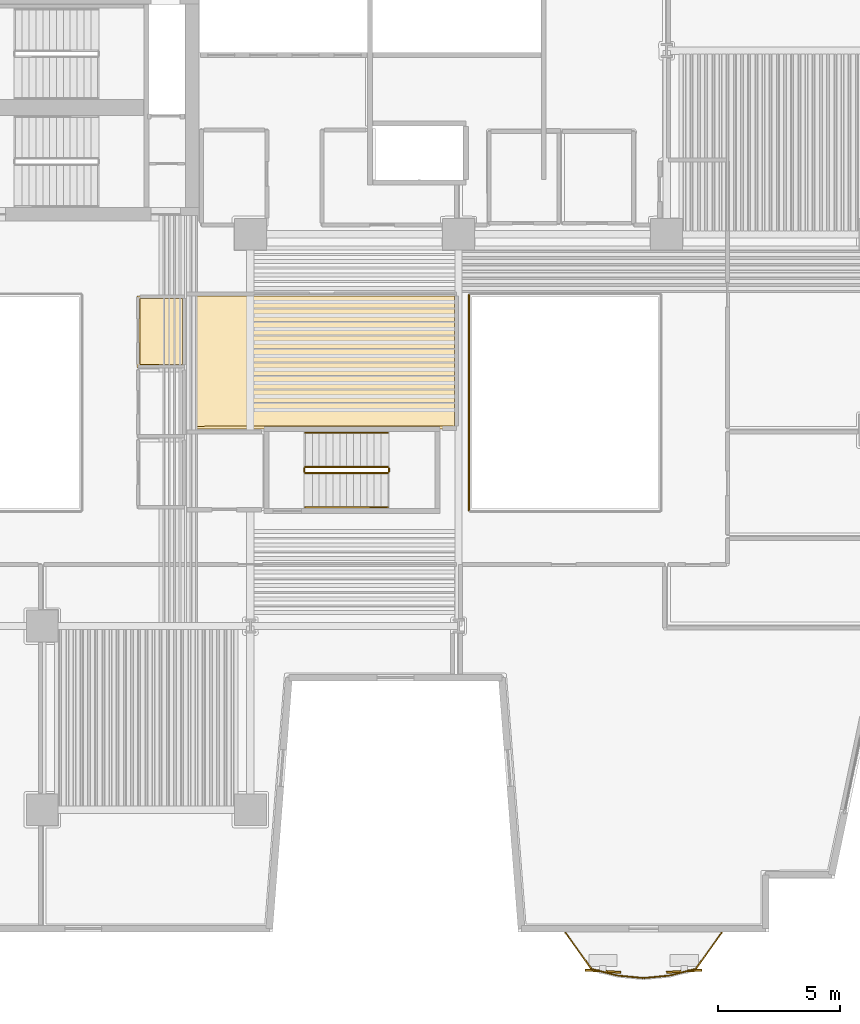
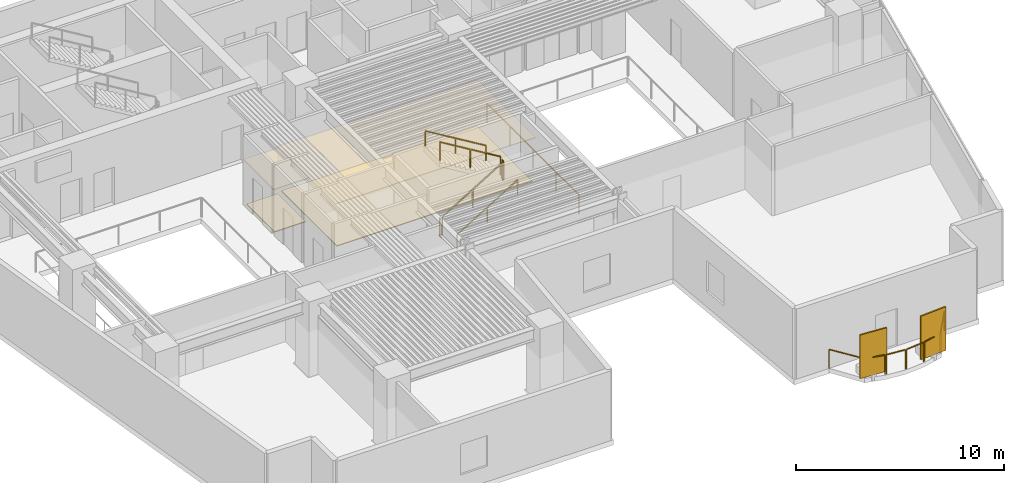
# One storey, part 9 of 12: 13 railings, 4 coverings, 2 shading devices.
"""IFC4 building model written with IfcOpenShell, lengths in metres."""

from ifc_helpers import new_model, si_unit, direction, frame, origin, origin_2d, place, context, subcontext, project, spatial, polyline, rectangle, outline, extrude, material, layer, layer_set, type_object, element, save


model = new_model("IFC4")

# Units and contexts
model_context = context("Model", 3, precision=1e-05, world=origin(), true_north=direction((0.0, 1.0)))
body_context = subcontext(model_context, "Body", "Model", "MODEL_VIEW")
ifc_project = project(units=[si_unit("LENGTHUNIT", "METRE"), si_unit("AREAUNIT", "SQUARE_METRE"), si_unit("VOLUMEUNIT", "CUBIC_METRE"), si_unit("PLANEANGLEUNIT", "RADIAN"), si_unit("MASSUNIT", "GRAM", prefix="KILO")], contexts=[model_context])

# Site, building, storey
site_placement = place(None, origin())
site = spatial("IfcSite", under=ifc_project, at=site_placement, CompositionType="ELEMENT")
building_placement = place(site_placement, origin())
building = spatial("IfcBuilding", under=site, at=building_placement, Name="Caeloran Harvest Quay", CompositionType="ELEMENT")
storey_placement = place(building_placement, frame((0.0, 0.0, 31.39990234375)))
storey = spatial("IfcBuildingStorey", under=building, at=storey_placement, Name="L07", CompositionType="ELEMENT", Elevation=31.39990234375)

# Coverings
ifc_material_1 = material(Name="Perforated Mineral-Fibre Acoustic Ceiling Tile", Category="ceiling")
ifc_layer_1 = layer(ifc_material_1, 0.0400390625, Name="Perforated Mineral-Fibre Acoustic Ceiling Tile")
ifc_layer_set_1 = layer_set([ifc_layer_1], Name="Perforated Mineral-Fibre Acoustic Ceiling Tile")
covering_type_1 = type_object("IfcCoveringType", Name="COV-CEILING-ACOUSTIC", PredefinedType="CEILING", material=ifc_layer_set_1)
covering_1_placement = place(storey_placement, frame((0.0, 0.0, 2.60009765625)))
element("IfcCovering", 1, at=covering_1_placement, inside=storey, type_object=covering_type_1, Name="L07 Male Washroom WC Acoustic Ceiling", PredefinedType="CEILING", context=body_context, shape_type="SweptSolid", body=[
    extrude(outline(polyline([(22.840087890625, 25.56005859375), (20.8701171875, 25.56005859375), (20.8701171875, 28.489990234375), (22.840087890625, 28.489990234375), (22.840087890625, 25.56005859375)])), origin(), (0.0, 0.0, 1.0), 0.0400390625),
])
covering_2_placement = place(storey_placement, frame((0.0, 0.0, 2.60009765625)))
element("IfcCovering", 2, at=covering_2_placement, inside=storey, type_object=covering_type_1, Name="Staff Tea Lounge Acoustic Ceiling", PredefinedType="CEILING", context=body_context, shape_type="SweptSolid", body=[
    extrude(outline(polyline([(22.8701171875, 28.512939453125), (22.85009765625, 28.52001953125), (22.85009765625, 28.610107421875), (33.9599609375, 28.610107421875), (33.9599609375, 23.0400390625), (33.170166015625, 23.0400390625), (33.162841796875, 23.06005859375), (26.13720703125, 23.06005859375), (26.1298828125, 23.0400390625), (22.8701171875, 23.0400390625), (22.8701171875, 28.512939453125)])), origin(), (0.0, 0.0, 1.0), 0.0400390625),
])
ifc_material_2 = material(Name="Calcium-Sulphate Raised Access Floor and Terrazzo Finish", Category="flooring")
ifc_layer_2 = layer(ifc_material_2, 0.050048828125, Name="Calcium-Sulphate Raised Access Floor and Terrazzo Finish")
ifc_layer_set_2 = layer_set([ifc_layer_2], Name="Calcium-Sulphate Raised Access Floor and Terrazzo Finish")
covering_type_2 = type_object("IfcCoveringType", Name="COV-FLOOR-RAISED", PredefinedType="FLOORING", material=ifc_layer_set_2)
covering_3_placement = place(storey_placement, origin())
element("IfcCovering", 3, at=covering_3_placement, inside=storey, type_object=covering_type_2, Name="L07 Male Washroom WC Raised Finish Flooring", PredefinedType="FLOORING", context=body_context, shape_type="SweptSolid", body=[
    extrude(outline(polyline([(22.719970703125, 25.679931640625), (20.989990234375, 25.679931640625), (20.989990234375, 28.3701171875), (22.719970703125, 28.3701171875), (22.719970703125, 25.679931640625)])), origin(), (0.0, 0.0, 1.0), 0.050048828125),
])
covering_4_placement = place(storey_placement, origin())
element("IfcCovering", 4, at=covering_4_placement, inside=storey, type_object=covering_type_2, Name="Staff Tea Lounge Raised Finish Flooring", PredefinedType="FLOORING", context=body_context, shape_type="SweptSolid", body=[
    extrude(outline(polyline([(22.989990234375, 28.489990234375), (33.840087890625, 28.489990234375), (33.840087890625, 23.159912109375), (33.169921875, 23.179931640625), (22.989990234375, 23.159912109375), (22.989990234375, 28.489990234375)])), origin(), (0.0, 0.0, 1.0), 0.050048828125),
])

# Railings
ifc_material_3 = material(Name="Powder-Coated Steel Post and Laminated Glass Guardrail", Category="steel")
ifc_layer_3 = layer(ifc_material_3, 0.06005859375, Name="Powder-Coated Steel Post and Laminated Glass Guardrail")
ifc_layer_set_3 = layer_set([ifc_layer_3], Name="Powder-Coated Steel Post and Laminated Glass Guardrail")
railing_type_1 = type_object("IfcRailingType", Name="GUARD-ATRIUM-1150", PredefinedType="GUARDRAIL", material=ifc_layer_set_3)
railing_1_placement = place(storey_placement, frame((34.429931640625, 28.5380859375, 0.0)))
element("IfcRailing", 5, at=railing_1_placement, inside=storey, type_object=railing_type_1, Name="L07 East Botanical Lightwell Guardrail Seg 4", PredefinedType="GUARDRAIL", context=body_context, shape_type="SweptSolid", body=[
    extrude(rectangle(XDim=0.048095703125, YDim=0.048095703125, at=origin_2d()), frame((0.0, 0.0, 1.1259765625), z_axis=(0.0, -1.0, 0.0), x_axis=(1.0, 0.0, 0.0)), (0.0, 0.0, 1.0), 8.826171875),
    extrude(rectangle(XDim=0.0419921875, YDim=0.0419921875, at=origin_2d()), origin(), (0.0, 0.0, 1.0), 1.101806640625),
    extrude(rectangle(XDim=0.0419921875, YDim=0.0419921875, at=origin_2d()), frame((0.0, -2.20654296875, 0.0)), (0.0, 0.0, 1.0), 1.101806640625),
    extrude(rectangle(XDim=0.0419921875, YDim=0.0419921875, at=origin_2d()), frame((0.0, -4.4130859375, 0.0)), (0.0, 0.0, 1.0), 1.101806640625),
    extrude(rectangle(XDim=0.0419921875, YDim=0.0419921875, at=origin_2d()), frame((0.0, -6.61962890625, 0.0)), (0.0, 0.0, 1.0), 1.101806640625),
    extrude(rectangle(XDim=0.0419921875, YDim=0.0419921875, at=origin_2d()), frame((0.0, -8.826171875, 0.0)), (0.0, 0.0, 1.0), 1.101806640625),
])
ifc_material_4 = material(Name="Laminated Safety Glass and Stainless Steel 316", Category="steel")
ifc_layer_4 = layer(ifc_material_4, 0.06005859375, Name="Laminated Safety Glass and Stainless Steel 316")
ifc_layer_set_4 = layer_set([ifc_layer_4], Name="Laminated Safety Glass and Stainless Steel 316")
railing_type_2 = type_object("IfcRailingType", Name="GUARD-BALUSTRADE-1150", PredefinedType="BALUSTRADE", material=ifc_layer_set_4)
railing_2_placement = place(storey_placement, frame((44.7509765625, 2.47998046875, 0.0)))
element("IfcRailing", 6, at=railing_2_placement, inside=storey, type_object=railing_type_2, Name="L07 Planted Balcony Perimeter Balustrade Guard Seg 1", PredefinedType="BALUSTRADE", context=body_context, shape_type="SweptSolid", body=[
    extrude(rectangle(XDim=0.048095703125, YDim=0.048095703125, at=origin_2d()), frame((0.0, 0.0, 1.1259765625), z_axis=(-0.583027076161, -0.812452723833, 0.0), x_axis=(0.812452723833, -0.583027076161, 0.0)), (0.0, 0.0, 1.0), 1.79296875),
    extrude(rectangle(XDim=0.0419921875, YDim=0.0419921875, at=origin_2d()), origin(), (0.0, 0.0, 1.0), 1.101806640625),
    extrude(rectangle(XDim=0.0419921875, YDim=0.0419921875, at=origin_2d()), frame((-1.04541015625, -1.456787109375, 0.0)), (0.0, 0.0, 1.0), 1.101806640625),
])
railing_3_placement = place(storey_placement, frame((43.65576171875, 0.9892578125, 0.0)))
element("IfcRailing", 7, at=railing_3_placement, inside=storey, type_object=railing_type_2, Name="L07 Planted Balcony Perimeter Balustrade Guard Seg 2", PredefinedType="BALUSTRADE", context=body_context, shape_type="SweptSolid", body=[
    extrude(rectangle(XDim=0.048095703125, YDim=0.048095703125, at=origin_2d()), frame((0.0, 0.0, 1.1259765625), z_axis=(-0.968624541573, -0.248528665272, 0.0), x_axis=(0.248528665272, -0.968624541573, 0.0)), (0.0, 0.0, 1.0), 1.034423828125),
    extrude(rectangle(XDim=0.0419921875, YDim=0.0419921875, at=origin_2d()), origin(), (0.0, 0.0, 1.0), 1.101806640625),
    extrude(rectangle(XDim=0.0419921875, YDim=0.0419921875, at=origin_2d()), frame((-1.001953125, -0.257080078125, 0.0)), (0.0, 0.0, 1.0), 1.101806640625),
])
railing_4_placement = place(storey_placement, frame((42.5908203125, 0.72119140625, 0.0)))
element("IfcRailing", 8, at=railing_4_placement, inside=storey, type_object=railing_type_2, Name="L07 Planted Balcony Perimeter Balustrade Guard Seg 3", PredefinedType="BALUSTRADE", context=body_context, shape_type="SweptSolid", body=[
    extrude(rectangle(XDim=0.048095703125, YDim=0.048095703125, at=origin_2d()), frame((0.0, 0.0, 1.1259765625), z_axis=(-0.995615861982, -0.093536385276, 0.0), x_axis=(0.093536385276, -0.995615861982, 0.0)), (0.0, 0.0, 1.0), 1.0048828125),
    extrude(rectangle(XDim=0.0419921875, YDim=0.0419921875, at=origin_2d()), origin(), (0.0, 0.0, 1.0), 1.101806640625),
    extrude(rectangle(XDim=0.0419921875, YDim=0.0419921875, at=origin_2d()), frame((-1.00048828125, -0.093994140625, 0.0)), (0.0, 0.0, 1.0), 1.101806640625),
])
railing_5_placement = place(storey_placement, frame((41.526611328125, 0.627197265625, 0.0)))
element("IfcRailing", 9, at=railing_5_placement, inside=storey, type_object=railing_type_2, Name="L07 Planted Balcony Perimeter Balustrade Guard Seg 4", PredefinedType="BALUSTRADE", context=body_context, shape_type="SweptSolid", body=[
    extrude(rectangle(XDim=0.048095703125, YDim=0.048095703125, at=origin_2d()), frame((0.0, 0.0, 1.1259765625), z_axis=(-0.995615861982, 0.093536385276, 0.0), x_axis=(-0.093536385276, -0.995615861982, 0.0)), (0.0, 0.0, 1.0), 1.0048828125),
    extrude(rectangle(XDim=0.0419921875, YDim=0.0419921875, at=origin_2d()), origin(), (0.0, 0.0, 1.0), 1.101806640625),
    extrude(rectangle(XDim=0.0419921875, YDim=0.0419921875, at=origin_2d()), frame((-1.00048828125, 0.093994140625, 0.0)), (0.0, 0.0, 1.0), 1.101806640625),
])
railing_6_placement = place(storey_placement, frame((40.46337890625, 0.732177734375, 0.0)))
element("IfcRailing", 10, at=railing_6_placement, inside=storey, type_object=railing_type_2, Name="L07 Planted Balcony Perimeter Balustrade Guard Seg 5", PredefinedType="BALUSTRADE", context=body_context, shape_type="SweptSolid", body=[
    extrude(rectangle(XDim=0.048095703125, YDim=0.048095703125, at=origin_2d()), frame((0.0, 0.0, 1.1259765625), z_axis=(-0.968639114681, 0.248471860599, 0.0), x_axis=(-0.248471860599, -0.968639114681, 0.0)), (0.0, 0.0, 1.0), 1.03466796875),
    extrude(rectangle(XDim=0.0419921875, YDim=0.0419921875, at=origin_2d()), origin(), (0.0, 0.0, 1.0), 1.101806640625),
    extrude(rectangle(XDim=0.0419921875, YDim=0.0419921875, at=origin_2d()), frame((-1.002197265625, 0.257080078125, 0.0)), (0.0, 0.0, 1.0), 1.101806640625),
])
railing_7_placement = place(storey_placement, frame((39.41162109375, 1.023193359375, 0.0)))
element("IfcRailing", 11, at=railing_7_placement, inside=storey, type_object=railing_type_2, Name="L07 Planted Balcony Perimeter Balustrade Guard Seg 6", PredefinedType="BALUSTRADE", context=body_context, shape_type="SweptSolid", body=[
    extrude(rectangle(XDim=0.048095703125, YDim=0.048095703125, at=origin_2d()), frame((0.0, 0.0, 1.1259765625), z_axis=(-0.583116940326, 0.812388228561, 0.0), x_axis=(-0.812388228561, -0.583116940326, 0.0)), (0.0, 0.0, 1.0), 1.793212890625),
    extrude(rectangle(XDim=0.0419921875, YDim=0.0419921875, at=origin_2d()), origin(), (0.0, 0.0, 1.0), 1.101806640625),
    extrude(rectangle(XDim=0.0419921875, YDim=0.0419921875, at=origin_2d()), frame((-1.045654296875, 1.456787109375, 0.0)), (0.0, 0.0, 1.0), 1.101806640625),
])

# Shading devices
ifc_material_5 = material(Name="3003-H14 Perforated Powder-Coated Aluminium", Category="aluminium")
shading_device_type = type_object("IfcShadingDeviceType", Name="SHADE-SCREEN-FOLDED", PredefinedType="USERDEFINED", material=ifc_material_5)
for number, where, z_axis, x_axis, name in (
    (12, (43.218505859375, 0.903564453125, 0.0751953125), (0.0, 0.0, 1.0), (0.997801468292, 0.0662739004, 0.0), "L07 Folded Facade Breathing Screen 1"),
    (13, (39.8984375, 0.903564453125, 0.0751953125), (0.0, 0.0, 1.0), (0.997801468292, -0.0662739004, 0.0), "L07 Folded Facade Breathing Screen 2"),
):
    element("IfcShadingDevice", number, at=place(storey_placement, frame(where, z_axis=z_axis, x_axis=x_axis)), inside=storey, type_object=shading_device_type, Name=name, ObjectType="SCREEN", PredefinedType="USERDEFINED", context=body_context, shape_type="SweptSolid", body=[
        extrude(rectangle(XDim=1.449951171875, YDim=0.080078125, at=origin_2d()), origin(), (0.0, 0.0, 1.0), 2.550048828125),
    ])

# Railings
ifc_material_6 = material(Name="Painted Steel Baluster and Top-Rail Stair Guard", Category="steel")
ifc_layer_5 = layer(ifc_material_6, 0.050048828125, Name="Painted Steel Baluster and Top-Rail Stair Guard")
ifc_layer_set_5 = layer_set([ifc_layer_5], Name="Painted Steel Baluster and Top-Rail Stair Guard")
railing_type_3 = type_object("IfcRailingType", Name="STAIR-GUARD-1100", PredefinedType="GUARDRAIL", material=ifc_layer_set_5)
railing_8_placement = place(storey_placement, frame((27.75, 21.25, 0.16943359375)))
element("IfcRailing", 14, at=railing_8_placement, inside=storey, type_object=railing_type_3, Name="L07 ST-W1 stair guard 1", PredefinedType="GUARDRAIL", context=body_context, shape_type="SweptSolid", body=[
    extrude(rectangle(XDim=0.048095703125, YDim=0.048095703125, at=origin_2d()), frame((0.0, 0.0, 1.076171875), z_axis=(0.855836976705, 0.0, 0.517245656632), x_axis=(0.0, 1.0, 0.0)), (0.0, 0.0, 1.0), 3.926025390625),
    extrude(rectangle(XDim=0.0419921875, YDim=0.0419921875, at=origin_2d()), origin(), (0.0, 0.0, 1.0), 1.052001953125),
    extrude(rectangle(XDim=0.0419921875, YDim=0.0419921875, at=origin_2d()), frame((1.68017578125, 0.0, 1.015380859375)), (0.0, 0.0, 1.0), 1.052001953125),
    extrude(rectangle(XDim=0.0419921875, YDim=0.0419921875, at=origin_2d()), frame((3.360107421875, 0.0, 2.03076171875)), (0.0, 0.0, 1.0), 1.052001953125),
])
railing_9_placement = place(storey_placement, frame((31.159912109375, 21.300048828125, 2.2001953125)))
element("IfcRailing", 15, at=railing_9_placement, inside=storey, type_object=railing_type_3, Name="L07 ST-W1 stair guard 2", PredefinedType="GUARDRAIL", context=body_context, shape_type="SweptSolid", body=[
    extrude(rectangle(XDim=0.048095703125, YDim=0.048095703125, at=origin_2d()), frame((0.0, 0.0, 1.076171875), z_axis=(0.0, 1.0, 0.0), x_axis=(-1.0, 0.0, 0.0)), (0.0, 0.0, 1.0), 0.14990234375),
    extrude(rectangle(XDim=0.0419921875, YDim=0.0419921875, at=origin_2d()), origin(), (0.0, 0.0, 1.0), 1.052001953125),
    extrude(rectangle(XDim=0.0419921875, YDim=0.0419921875, at=origin_2d()), frame((0.0, 0.14990234375, 0.0)), (0.0, 0.0, 1.0), 1.052001953125),
])
railing_10_placement = place(storey_placement, frame((31.110107421875, 21.5, 2.369384765625)))
element("IfcRailing", 16, at=railing_10_placement, inside=storey, type_object=railing_type_3, Name="L07 ST-W1 stair guard 3", PredefinedType="GUARDRAIL", context=body_context, shape_type="SweptSolid", body=[
    extrude(rectangle(XDim=0.048095703125, YDim=0.048095703125, at=origin_2d()), frame((0.0, 0.0, 1.076171875), z_axis=(-0.855836976705, 0.0, 0.517245656632), x_axis=(0.0, -1.0, 0.0)), (0.0, 0.0, 1.0), 3.926025390625),
    extrude(rectangle(XDim=0.0419921875, YDim=0.0419921875, at=origin_2d()), origin(), (0.0, 0.0, 1.0), 1.052001953125),
    extrude(rectangle(XDim=0.0419921875, YDim=0.0419921875, at=origin_2d()), frame((-1.68017578125, 0.0, 1.015380859375)), (0.0, 0.0, 1.0), 1.052001953125),
    extrude(rectangle(XDim=0.0419921875, YDim=0.0419921875, at=origin_2d()), frame((-3.360107421875, 0.0, 2.03076171875)), (0.0, 0.0, 1.0), 1.052001953125),
])
railing_11_placement = place(storey_placement, frame((27.699951171875, 21.300048828125, 0.0)))
element("IfcRailing", 17, at=railing_11_placement, inside=storey, type_object=railing_type_3, Name="L07 ST-W1 stair guard 4", PredefinedType="GUARDRAIL", context=body_context, shape_type="SweptSolid", body=[
    extrude(rectangle(XDim=0.048095703125, YDim=0.048095703125, at=origin_2d()), frame((0.0, 0.0, 1.076171875), z_axis=(0.0, 1.0, 0.0), x_axis=(-1.0, 0.0, 0.0)), (0.0, 0.0, 1.0), 0.14990234375),
    extrude(rectangle(XDim=0.0419921875, YDim=0.0419921875, at=origin_2d()), origin(), (0.0, 0.0, 1.0), 1.052001953125),
    extrude(rectangle(XDim=0.0419921875, YDim=0.0419921875, at=origin_2d()), frame((0.0, 0.14990234375, 0.0)), (0.0, 0.0, 1.0), 1.052001953125),
])
ifc_material_7 = material(Name="Brushed Stainless Steel Grade 304", Category="steel")
ifc_layer_6 = layer(ifc_material_7, 0.050048828125, Name="Brushed Stainless Steel Grade 304")
ifc_layer_set_6 = layer_set([ifc_layer_6], Name="Brushed Stainless Steel Grade 304")
railing_type_4 = type_object("IfcRailingType", Name="STAIR-HANDRAIL-900", PredefinedType="HANDRAIL", material=ifc_layer_set_6)
railing_12_placement = place(storey_placement, frame((27.75, 19.85009765625, 0.16943359375)))
element("IfcRailing", 18, at=railing_12_placement, inside=storey, type_object=railing_type_4, Name="L07 ST-W1 stair handrail 1", PredefinedType="HANDRAIL", context=body_context, shape_type="SweptSolid", body=[
    extrude(rectangle(XDim=0.048095703125, YDim=0.048095703125, at=origin_2d()), frame((0.0, 0.0, 0.8759765625), z_axis=(0.855836976705, 0.0, 0.517245656632), x_axis=(0.0, 1.0, 0.0)), (0.0, 0.0, 1.0), 3.926025390625),
    extrude(rectangle(XDim=0.0419921875, YDim=0.0419921875, at=origin_2d()), origin(), (0.0, 0.0, 1.0), 0.851806640625),
    extrude(rectangle(XDim=0.0419921875, YDim=0.0419921875, at=origin_2d()), frame((1.68017578125, 0.0, 1.015380859375)), (0.0, 0.0, 1.0), 0.851806640625),
    extrude(rectangle(XDim=0.0419921875, YDim=0.0419921875, at=origin_2d()), frame((3.360107421875, 0.0, 2.03076171875)), (0.0, 0.0, 1.0), 0.851806640625),
])
railing_13_placement = place(storey_placement, frame((31.110107421875, 22.89990234375, 2.369384765625)))
element("IfcRailing", 19, at=railing_13_placement, inside=storey, type_object=railing_type_4, Name="L07 ST-W1 stair handrail 2", PredefinedType="HANDRAIL", context=body_context, shape_type="SweptSolid", body=[
    extrude(rectangle(XDim=0.048095703125, YDim=0.048095703125, at=origin_2d()), frame((0.0, 0.0, 0.8759765625), z_axis=(-0.855836976705, 0.0, 0.517245656632), x_axis=(0.0, -1.0, 0.0)), (0.0, 0.0, 1.0), 3.926025390625),
    extrude(rectangle(XDim=0.0419921875, YDim=0.0419921875, at=origin_2d()), origin(), (0.0, 0.0, 1.0), 0.851806640625),
    extrude(rectangle(XDim=0.0419921875, YDim=0.0419921875, at=origin_2d()), frame((-1.68017578125, 0.0, 1.015380859375)), (0.0, 0.0, 1.0), 0.851806640625),
    extrude(rectangle(XDim=0.0419921875, YDim=0.0419921875, at=origin_2d()), frame((-3.360107421875, 0.0, 2.03076171875)), (0.0, 0.0, 1.0), 0.851806640625),
])

save(model, "model.ifc")
